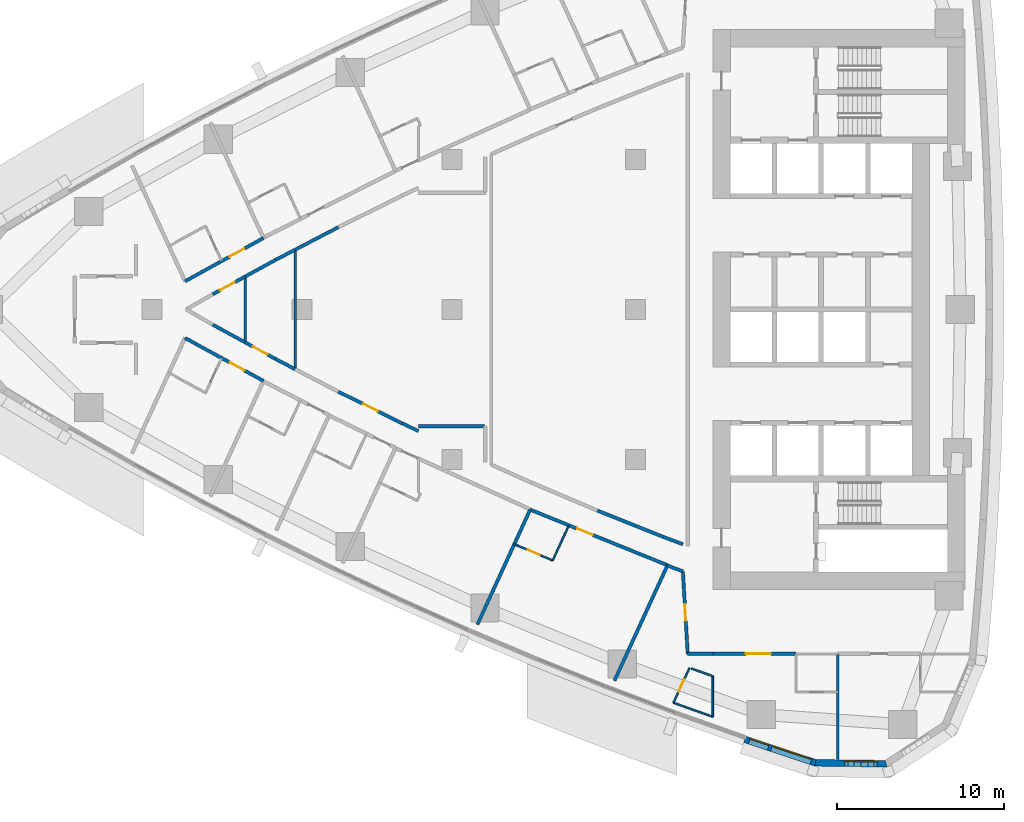
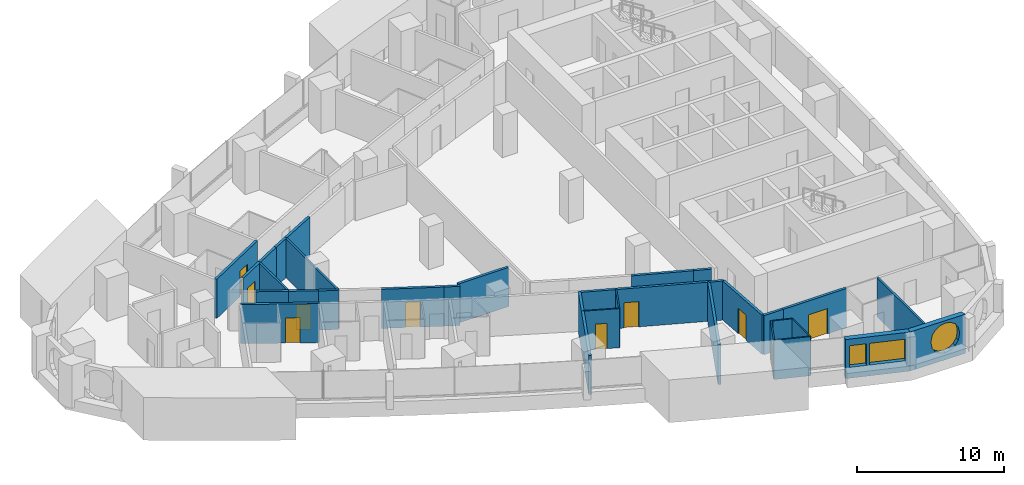
# One storey, part 9 of 17: 32 walls, 10 doors, 3 windows, 13 openings.
"""IFC4 building model written with IfcOpenShell, lengths in metres."""

from ifc_helpers import new_model, si_unit, direction, frame, frame_2d, origin, place, context, subcontext, project, spatial, polyline, rectangle, outline, extrude, material, layer, layer_set, type_object, element, fill, save


model = new_model("IFC4")

# Units and contexts
model_context = context("Model", 3, precision=1e-05, world=origin(), true_north=direction((0.0, 1.0)))
body_context = subcontext(model_context, "Body", "Model", "MODEL_VIEW")
ifc_project = project(units=[si_unit("LENGTHUNIT", "METRE"), si_unit("AREAUNIT", "SQUARE_METRE"), si_unit("VOLUMEUNIT", "CUBIC_METRE"), si_unit("PLANEANGLEUNIT", "RADIAN"), si_unit("MASSUNIT", "GRAM", prefix="KILO")], contexts=[model_context])

# Site, building, storey
site_placement = place(None, origin())
site = spatial("IfcSite", under=ifc_project, at=site_placement, CompositionType="ELEMENT")
building_placement = place(site_placement, origin())
building = spatial("IfcBuilding", under=site, at=building_placement, Name="Ostrand Prow Hotel Tower", CompositionType="ELEMENT")
storey_placement = place(building_placement, frame((0.0, 0.0, 95.550048828125)))
storey = spatial("IfcBuildingStorey", under=building, at=storey_placement, Name="L22", CompositionType="ELEMENT", Elevation=95.550048828125)

# Wall
ifc_material_1 = material(Name="Plasterboard partition")
ifc_layer_1 = layer(ifc_material_1, 0.10009765625)
ifc_layer_set_1 = layer_set([ifc_layer_1], Name="Plasterboard partition")
wall_type_1 = type_object("IfcWallType", Name="Partition 100 bathroom wall", PredefinedType="PARTITIONING", material=ifc_layer_set_1)
wall_1_placement = place(storey_placement, frame((40.99853515625, -12.983642578125, 0.0), z_axis=(0.0, 0.0, 1.0), x_axis=(-0.417433204355, -0.908707609686, 0.0)))
element("IfcWall", 1, at=wall_1_placement, inside=storey, type_object=wall_type_1, Name="BATHROOM WALL", PredefinedType="PARTITIONING", context=body_context, shape_type="SweptSolid", body=[
    extrude(rectangle(XDim=2.278076171875, YDim=0.10009765625, at=frame_2d((1.13916015625, 0.0))), origin(), (0.0, 0.0, 1.0), 3.25),
])

# Wall, opening, door
wall_2_placement = place(storey_placement, frame((40.047607421875, -15.0537109375, 0.0), z_axis=(0.0, 0.0, 1.0), x_axis=(-0.921042675983, 0.38946166566, 0.0)))
wall_2 = element("IfcWall", 2, at=wall_2_placement, inside=storey, type_object=wall_type_1, Name="BATHROOM WALL", PredefinedType="PARTITIONING", context=body_context, shape_type="SweptSolid", body=[
    extrude(rectangle(XDim=2.501220703125, YDim=0.10009765625, at=frame_2d((1.25048828125, 0.0))), origin(), (0.0, 0.0, 1.0), 3.25),
])
opening_1_placement = place(wall_2_placement, frame((0.85009765625, 0.0, 0.0)))
opening_1 = element("IfcOpeningElement", 3, at=opening_1_placement, cuts=wall_2, Name="Opening D2", PredefinedType="OPENING", context=body_context, shape_type="SweptSolid", body=[
    extrude(rectangle(XDim=0.800048828125, YDim=2.10009765625, at=frame_2d((0.39990234375, 1.050048828125))), frame((0.0, 0.06005859375, 0.0), z_axis=(0.0, -1.0, 0.0), x_axis=(1.0, 0.0, 0.0)), (0.0, 0.0, 1.0), 0.1201171875),
])
ifc_material_2 = material(Name="Timber door leaf", Category="wood")
door_type_1 = type_object("IfcDoorType", Name="Bathroom door 800", OperationType="SINGLE_SWING_LEFT", PredefinedType="DOOR", material=ifc_material_2)
door_1_placement = place(opening_1_placement, origin())
door_1 = element("IfcDoor", 4, at=door_1_placement, inside=storey, type_object=door_type_1, Name="DOOR", OperationType="SINGLE_SWING_LEFT", OverallHeight=2.10009765625, OverallWidth=0.800048828125, PredefinedType="DOOR", context=body_context, shape_type="SweptSolid", body=[
    extrude(rectangle(XDim=0.800048828125, YDim=2.10009765625, at=frame_2d((0.39990234375, 1.050048828125))), frame((0.0, 0.02490234375, 0.0), z_axis=(0.0, -1.0, 0.0), x_axis=(1.0, 0.0, 0.0)), (0.0, 0.0, 1.0), 0.050048828125),
])
fill(opening_1, door_1)

# Wall
wall_3_placement = place(storey_placement, frame((48.36279296875, -21.5400390625, 0.0), z_axis=(0.0, 0.0, 1.0), x_axis=(0.942692856107, -0.333661773425, 0.0)))
element("IfcWall", 5, at=wall_3_placement, inside=storey, type_object=wall_type_1, Name="BATHROOM WALL", PredefinedType="PARTITIONING", context=body_context, shape_type="SweptSolid", body=[
    extrude(rectangle(XDim=1.365234375, YDim=0.10009765625, at=frame_2d((0.6826171875, 0.0))), origin(), (0.0, 0.0, 1.0), 3.25),
])

# Wall, opening, door
wall_4_placement = place(storey_placement, frame((47.285888671875, -23.59228515625, 0.0), z_axis=(0.0, 0.0, 1.0), x_axis=(0.41749308293, 0.908680100864, 0.0)))
wall_4 = element("IfcWall", 6, at=wall_4_placement, inside=storey, type_object=wall_type_1, Name="BATHROOM WALL", PredefinedType="PARTITIONING", context=body_context, shape_type="SweptSolid", body=[
    extrude(rectangle(XDim=2.3056640625, YDim=0.10009765625, at=frame_2d((1.15283203125, 0.0))), origin(), (0.0, 0.0, 1.0), 3.25),
])
opening_2_placement = place(wall_4_placement, frame((0.75, 0.0, 0.0)))
opening_2 = element("IfcOpeningElement", 7, at=opening_2_placement, cuts=wall_4, Name="Opening D2", PredefinedType="OPENING", context=body_context, shape_type="SweptSolid", body=[
    extrude(rectangle(XDim=0.800048828125, YDim=2.10009765625, at=frame_2d((0.39990234375, 1.050048828125))), frame((0.0, 0.06005859375, 0.0), z_axis=(0.0, -1.0, 0.0), x_axis=(1.0, 0.0, 0.0)), (0.0, 0.0, 1.0), 0.1201171875),
])
door_2_placement = place(opening_2_placement, origin())
door_2 = element("IfcDoor", 8, at=door_2_placement, inside=storey, type_object=door_type_1, Name="DOOR", OperationType="SINGLE_SWING_LEFT", OverallHeight=2.10009765625, OverallWidth=0.800048828125, PredefinedType="DOOR", context=body_context, shape_type="SweptSolid", body=[
    extrude(rectangle(XDim=0.800048828125, YDim=2.10009765625, at=frame_2d((0.39990234375, 1.050048828125))), frame((0.0, 0.02490234375, 0.0), z_axis=(0.0, -1.0, 0.0), x_axis=(1.0, 0.0, 0.0)), (0.0, 0.0, 1.0), 0.050048828125),
])
fill(opening_2, door_2)

# Walls
wall_5_placement = place(storey_placement, frame((49.64990234375, -21.99560546875, 0.0), z_axis=(0.0, 0.0, 1.0), x_axis=(0.0, -1.0, 0.0)))
element("IfcWall", 9, at=wall_5_placement, inside=storey, type_object=wall_type_1, Name="BATHROOM WALL", PredefinedType="PARTITIONING", context=body_context, shape_type="SweptSolid", body=[
    extrude(rectangle(XDim=2.439453125, YDim=0.10009765625, at=frame_2d((1.2197265625, 0.0))), origin(), (0.0, 0.0, 1.0), 3.25),
])
wall_6_placement = place(storey_placement, frame((49.64990234375, -24.43505859375, 0.0), z_axis=(0.0, 0.0, 1.0), x_axis=(-0.941933231826, 0.335800218555, 0.0)))
element("IfcWall", 10, at=wall_6_placement, inside=storey, type_object=wall_type_1, Name="BATHROOM WALL", PredefinedType="PARTITIONING", context=body_context, shape_type="SweptSolid", body=[
    extrude(rectangle(XDim=2.509765625, YDim=0.10009765625, at=frame_2d((1.2548828125, 0.0))), origin(), (0.0, 0.0, 1.0), 3.25),
])
ifc_material_3 = material(Name="Plasterboard partition")
ifc_layer_2 = layer(ifc_material_3, 0.14990234375)
ifc_layer_set_2 = layer_set([ifc_layer_2], Name="Plasterboard partition")
wall_type_2 = type_object("IfcWallType", Name="Partition 150 room partition", PredefinedType="PARTITIONING", material=ifc_layer_set_2)
wall_7_placement = place(storey_placement, frame((57.130615234375, -26.97900390625, 0.0), z_axis=(0.0, 0.0, 1.0), x_axis=(0.0, 1.0, 0.0)))
element("IfcWall", 11, at=wall_7_placement, inside=storey, type_object=wall_type_2, Name="ROOM PARTITION", PredefinedType="PARTITIONING", context=body_context, shape_type="SweptSolid", body=[
    extrude(rectangle(XDim=6.3291015625, YDim=0.14990234375, at=frame_2d((3.16455078125, 0.0))), origin(), (0.0, 0.0, 1.0), 3.25),
])
wall_8_placement = place(storey_placement, frame((21.59765625, -1.972900390625, 0.0), z_axis=(0.0, 0.0, 1.0), x_axis=(0.0, 1.0, 0.0)))
element("IfcWall", 12, at=wall_8_placement, inside=storey, type_object=wall_type_2, Name="ROOM PARTITION", PredefinedType="PARTITIONING", context=body_context, shape_type="SweptSolid", body=[
    extrude(rectangle(XDim=3.94580078125, YDim=0.14990234375, at=frame_2d((1.972900390625, 0.0))), origin(), (0.0, 0.0, 1.0), 3.25),
])
wall_9_placement = place(storey_placement, frame((24.59765625, -3.582275390625, 0.0), z_axis=(0.0, 0.0, 1.0), x_axis=(0.0, 1.0, 0.0)))
element("IfcWall", 13, at=wall_9_placement, inside=storey, type_object=wall_type_2, Name="ROOM PARTITION", PredefinedType="PARTITIONING", context=body_context, shape_type="SweptSolid", body=[
    extrude(rectangle(XDim=7.16455078125, YDim=0.14990234375, at=frame_2d((3.582275390625, 0.0))), origin(), (0.0, 0.0, 1.0), 3.25),
])

# Wall, opening, door
ifc_material_4 = material(Name="Plasterboard partition")
ifc_layer_3 = layer(ifc_material_4, 0.199951171875)
ifc_layer_set_3 = layer_set([ifc_layer_3], Name="Plasterboard partition")
wall_type_3 = type_object("IfcWallType", Name="Partition 200 corridor wall", PredefinedType="PARTITIONING", material=ifc_layer_set_3)
wall_10_placement = place(storey_placement, frame((18.0, 1.691650390625, 0.0), z_axis=(0.0, 0.0, 1.0), x_axis=(0.875548487611, 0.483130257634, 0.0)))
wall_10 = element("IfcWall", 14, at=wall_10_placement, inside=storey, type_object=wall_type_3, Name="CORRIDOR WALL", PredefinedType="PARTITIONING", context=body_context, shape_type="SweptSolid", body=[
    extrude(rectangle(XDim=5.36669921875, YDim=0.199951171875, at=frame_2d((2.683349609375, 0.0))), origin(), (0.0, 0.0, 1.0), 3.25),
])
opening_3_placement = place(wall_10_placement, frame((3.050048828125, 0.0, 0.0)))
opening_3 = element("IfcOpeningElement", 15, at=opening_3_placement, cuts=wall_10, Name="Opening D1", PredefinedType="OPENING", context=body_context, shape_type="SweptSolid", body=[
    extrude(rectangle(XDim=1.0, YDim=2.10009765625, at=frame_2d((0.5, 1.050048828125))), frame((0.0, 0.10986328125, 0.0), z_axis=(0.0, -1.0, 0.0), x_axis=(1.0, 0.0, 0.0)), (0.0, 0.0, 1.0), 0.219970703125),
])
ifc_material_5 = material(Name="Timber door leaf", Category="wood")
door_type_2 = type_object("IfcDoorType", Name="Guest room door 1000", OperationType="SINGLE_SWING_LEFT", PredefinedType="DOOR", material=ifc_material_5)
door_3_placement = place(opening_3_placement, origin())
door_3 = element("IfcDoor", 16, at=door_3_placement, inside=storey, type_object=door_type_2, Name="DOOR", OperationType="SINGLE_SWING_LEFT", OverallHeight=2.10009765625, OverallWidth=1.0, PredefinedType="DOOR", context=body_context, shape_type="SweptSolid", body=[
    extrude(rectangle(XDim=1.0, YDim=2.10009765625, at=frame_2d((0.5, 1.050048828125))), frame((0.0, 0.02490234375, 0.0), z_axis=(0.0, -1.0, 0.0), x_axis=(1.0, 0.0, 0.0)), (0.0, 0.0, 1.0), 0.050048828125),
])
fill(opening_3, door_3)

wall_11_placement = place(storey_placement, frame((18.0, -1.714599609375, 0.0), z_axis=(0.0, 0.0, 1.0), x_axis=(0.877354946945, -0.479841950096, 0.0)))
wall_11 = element("IfcWall", 17, at=wall_11_placement, inside=storey, type_object=wall_type_3, Name="CORRIDOR WALL", PredefinedType="PARTITIONING", context=body_context, shape_type="SweptSolid", body=[
    extrude(rectangle(XDim=5.35546875, YDim=0.199951171875, at=frame_2d((2.677734375, 0.0))), origin(), (0.0, 0.0, 1.0), 3.25),
])
opening_4_placement = place(wall_11_placement, frame((3.050048828125, 0.0, 0.0)))
opening_4 = element("IfcOpeningElement", 18, at=opening_4_placement, cuts=wall_11, Name="Opening D1R", PredefinedType="OPENING", context=body_context, shape_type="SweptSolid", body=[
    extrude(rectangle(XDim=1.0, YDim=2.10009765625, at=frame_2d((0.5, 1.050048828125))), frame((0.0, 0.10986328125, 0.0), z_axis=(0.0, -1.0, 0.0), x_axis=(1.0, 0.0, 0.0)), (0.0, 0.0, 1.0), 0.219970703125),
])
ifc_material_6 = material(Name="Timber door leaf", Category="wood")
door_type_3 = type_object("IfcDoorType", Name="Guest room door 1000 right", OperationType="SINGLE_SWING_RIGHT", PredefinedType="DOOR", material=ifc_material_6)
door_4_placement = place(opening_4_placement, origin())
door_4 = element("IfcDoor", 19, at=door_4_placement, inside=storey, type_object=door_type_3, Name="DOOR", OperationType="SINGLE_SWING_RIGHT", OverallHeight=2.10009765625, OverallWidth=1.0, PredefinedType="DOOR", context=body_context, shape_type="SweptSolid", body=[
    extrude(rectangle(XDim=1.0, YDim=2.10009765625, at=frame_2d((0.5, 1.050048828125))), frame((0.0, 0.02490234375, 0.0), z_axis=(0.0, -1.0, 0.0), x_axis=(1.0, 0.0, 0.0)), (0.0, 0.0, 1.0), 0.050048828125),
])
fill(opening_4, door_4)

wall_12_placement = place(storey_placement, frame((38.696044921875, -12.0068359375, 0.0), z_axis=(0.0, 0.0, 1.0), x_axis=(0.927027566285, -0.374993188401, 0.0)))
wall_12 = element("IfcWall", 20, at=wall_12_placement, inside=storey, type_object=wall_type_3, Name="CORRIDOR WALL", PredefinedType="PARTITIONING", context=body_context, shape_type="SweptSolid", body=[
    extrude(rectangle(XDim=8.885009765625, YDim=0.199951171875, at=frame_2d((4.4423828125, 0.0))), origin(), (0.0, 0.0, 1.0), 3.25),
])
opening_5_placement = place(wall_12_placement, frame((3.050048828125, 0.0, 0.0)))
opening_5 = element("IfcOpeningElement", 21, at=opening_5_placement, cuts=wall_12, Name="Opening D1R", PredefinedType="OPENING", context=body_context, shape_type="SweptSolid", body=[
    extrude(rectangle(XDim=1.0, YDim=2.10009765625, at=frame_2d((0.5, 1.050048828125))), frame((0.0, 0.10986328125, 0.0), z_axis=(0.0, -1.0, 0.0), x_axis=(1.0, 0.0, 0.0)), (0.0, 0.0, 1.0), 0.219970703125),
])
door_5_placement = place(opening_5_placement, origin())
door_5 = element("IfcDoor", 22, at=door_5_placement, inside=storey, type_object=door_type_3, Name="DOOR", OperationType="SINGLE_SWING_RIGHT", OverallHeight=2.10009765625, OverallWidth=1.0, PredefinedType="DOOR", context=body_context, shape_type="SweptSolid", body=[
    extrude(rectangle(XDim=1.0, YDim=2.10009765625, at=frame_2d((0.5, 1.050048828125))), frame((0.0, 0.02490234375, 0.0), z_axis=(0.0, -1.0, 0.0), x_axis=(1.0, 0.0, 0.0)), (0.0, 0.0, 1.0), 0.050048828125),
])
fill(opening_5, door_5)

wall_13_placement = place(storey_placement, frame((19.6572265625, 0.912353515625, 0.0), z_axis=(0.0, 0.0, 1.0), x_axis=(0.877490210137, 0.479594548671, 0.0)))
wall_13 = element("IfcWall", 23, at=wall_13_placement, inside=storey, type_object=wall_type_3, Name="CORRIDOR WALL", PredefinedType="PARTITIONING", context=body_context, shape_type="SweptSolid", body=[
    extrude(rectangle(XDim=2.21142578125, YDim=0.199951171875, at=frame_2d((1.105712890625, 0.0))), origin(), (0.0, 0.0, 1.0), 3.25),
])
opening_6_placement = place(wall_13_placement, frame((0.505615234375, 0.0, 0.0)))
opening_6 = element("IfcOpeningElement", 24, at=opening_6_placement, cuts=wall_13, Name="Opening D1R", PredefinedType="OPENING", context=body_context, shape_type="SweptSolid", body=[
    extrude(rectangle(XDim=1.0, YDim=2.10009765625, at=frame_2d((0.5, 1.050048828125))), frame((0.0, 0.10986328125, 0.0), z_axis=(0.0, -1.0, 0.0), x_axis=(1.0, 0.0, 0.0)), (0.0, 0.0, 1.0), 0.219970703125),
])
door_6_placement = place(opening_6_placement, origin())
door_6 = element("IfcDoor", 25, at=door_6_placement, inside=storey, type_object=door_type_3, Name="DOOR", OperationType="SINGLE_SWING_RIGHT", OverallHeight=2.10009765625, OverallWidth=1.0, PredefinedType="DOOR", context=body_context, shape_type="SweptSolid", body=[
    extrude(rectangle(XDim=1.0, YDim=2.10009765625, at=frame_2d((0.5, 1.050048828125))), frame((0.0, 0.02490234375, 0.0), z_axis=(0.0, -1.0, 0.0), x_axis=(1.0, 0.0, 0.0)), (0.0, 0.0, 1.0), 0.050048828125),
])
fill(opening_6, door_6)

# Wall
wall_14_placement = place(storey_placement, frame((21.59765625, -1.972900390625, 0.0), z_axis=(0.0, 0.0, 1.0), x_axis=(-0.877490210137, 0.479594548671, 0.0)))
element("IfcWall", 26, at=wall_14_placement, inside=storey, type_object=wall_type_3, Name="CORRIDOR WALL", PredefinedType="PARTITIONING", context=body_context, shape_type="SweptSolid", body=[
    extrude(rectangle(XDim=2.21142578125, YDim=0.199951171875, at=frame_2d((1.105712890625, 0.0))), origin(), (0.0, 0.0, 1.0), 3.25),
])

# Wall, opening, door
wall_15_placement = place(storey_placement, frame((23.40673828125, -2.9619140625, 0.0), z_axis=(0.0, 0.0, 1.0), x_axis=(-0.877438115071, 0.479689852113, 0.0)))
wall_15 = element("IfcWall", 27, at=wall_15_placement, inside=storey, type_object=wall_type_3, Name="CORRIDOR WALL", PredefinedType="PARTITIONING", context=body_context, shape_type="SweptSolid", body=[
    extrude(rectangle(XDim=2.061767578125, YDim=0.199951171875, at=frame_2d((1.03076171875, 0.0))), origin(), (0.0, 0.0, 1.0), 3.25),
])
opening_7_placement = place(wall_15_placement, frame((0.531005859375, 0.0, 0.0)))
opening_7 = element("IfcOpeningElement", 28, at=opening_7_placement, cuts=wall_15, Name="Opening D1", PredefinedType="OPENING", context=body_context, shape_type="SweptSolid", body=[
    extrude(rectangle(XDim=1.0, YDim=2.10009765625, at=frame_2d((0.5, 1.050048828125))), frame((0.0, 0.10986328125, 0.0), z_axis=(0.0, -1.0, 0.0), x_axis=(1.0, 0.0, 0.0)), (0.0, 0.0, 1.0), 0.219970703125),
])
door_7_placement = place(opening_7_placement, origin())
door_7 = element("IfcDoor", 29, at=door_7_placement, inside=storey, type_object=door_type_2, Name="DOOR", OperationType="SINGLE_SWING_LEFT", OverallHeight=2.10009765625, OverallWidth=1.0, PredefinedType="DOOR", context=body_context, shape_type="SweptSolid", body=[
    extrude(rectangle(XDim=1.0, YDim=2.10009765625, at=frame_2d((0.5, 1.050048828125))), frame((0.0, 0.02490234375, 0.0), z_axis=(0.0, -1.0, 0.0), x_axis=(1.0, 0.0, 0.0)), (0.0, 0.0, 1.0), 0.050048828125),
])
fill(opening_7, door_7)

# Walls
wall_16_placement = place(storey_placement, frame((21.59765625, 1.972900390625, 0.0), z_axis=(0.0, 0.0, 1.0), x_axis=(0.877438115071, 0.479689852113, 0.0)))
element("IfcWall", 30, at=wall_16_placement, inside=storey, type_object=wall_type_3, Name="CORRIDOR WALL", PredefinedType="PARTITIONING", context=body_context, shape_type="SweptSolid", body=[
    extrude(rectangle(XDim=2.061767578125, YDim=0.199951171875, at=frame_2d((1.03076171875, 0.0))), origin(), (0.0, 0.0, 1.0), 3.25),
])
for number, where, z_axis, x_axis, name in (
    (31, (23.40673828125, 2.9619140625, 0.0), (0.0, 0.0, 1.0), (0.88688614944, 0.461988049555, 0.0), "CORRIDOR WALL"),
    (32, (24.59765625, -3.582275390625, 0.0), (0.0, 0.0, 1.0), (-0.88688614944, 0.461988049555, 0.0), "CORRIDOR WALL"),
):
    element("IfcWall", number, at=place(storey_placement, frame(where, z_axis=z_axis, x_axis=x_axis)), inside=storey, type_object=wall_type_3, Name=name, PredefinedType="PARTITIONING", context=body_context, shape_type="SweptSolid", body=[
        extrude(rectangle(XDim=1.3427734375, YDim=0.199951171875, at=frame_2d((0.67138671875, 0.0))), origin(), (0.0, 0.0, 1.0), 3.25),
    ])

# Wall, opening, door
wall_17_placement = place(storey_placement, frame((31.02490234375, -6.83349609375, 0.0), z_axis=(0.0, 0.0, 1.0), x_axis=(-0.895975836328, 0.44410280422, 0.0)))
wall_17 = element("IfcWall", 33, at=wall_17_placement, inside=storey, type_object=wall_type_3, Name="CORRIDOR WALL", PredefinedType="PARTITIONING", context=body_context, shape_type="SweptSolid", body=[
    extrude(rectangle(XDim=4.273193359375, YDim=0.199951171875, at=frame_2d((2.13671875, 0.0))), origin(), (0.0, 0.0, 1.0), 3.25),
])
opening_8_placement = place(wall_17_placement, frame((1.636474609375, 0.0, 0.0)))
opening_8 = element("IfcOpeningElement", 34, at=opening_8_placement, cuts=wall_17, Name="Opening D1R", PredefinedType="OPENING", context=body_context, shape_type="SweptSolid", body=[
    extrude(rectangle(XDim=1.0, YDim=2.10009765625, at=frame_2d((0.5, 1.050048828125))), frame((0.0, 0.10986328125, 0.0), z_axis=(0.0, -1.0, 0.0), x_axis=(1.0, 0.0, 0.0)), (0.0, 0.0, 1.0), 0.219970703125),
])
door_8_placement = place(opening_8_placement, origin())
door_8 = element("IfcDoor", 35, at=door_8_placement, inside=storey, type_object=door_type_3, Name="DOOR", OperationType="SINGLE_SWING_RIGHT", OverallHeight=2.10009765625, OverallWidth=1.0, PredefinedType="DOOR", context=body_context, shape_type="SweptSolid", body=[
    extrude(rectangle(XDim=1.0, YDim=2.10009765625, at=frame_2d((0.5, 1.050048828125))), frame((0.0, 0.02490234375, 0.0), z_axis=(0.0, -1.0, 0.0), x_axis=(1.0, 0.0, 0.0)), (0.0, 0.0, 1.0), 0.050048828125),
])
fill(opening_8, door_8)

# Walls
wall_18_placement = place(storey_placement, frame((32.0, -7.292724609375, 0.0), z_axis=(0.0, 0.0, 1.0), x_axis=(-0.904690325494, 0.426069730159, 0.0)))
element("IfcWall", 36, at=wall_18_placement, inside=storey, type_object=wall_type_3, Name="CORRIDOR WALL", PredefinedType="PARTITIONING", context=body_context, shape_type="SweptSolid", body=[
    extrude(rectangle(XDim=1.077880859375, YDim=0.199951171875, at=frame_2d((0.5390625, 0.0))), origin(), (0.0, 0.0, 1.0), 3.25),
])
wall_19_placement = place(storey_placement, frame((24.59765625, 3.582275390625, 0.0), z_axis=(0.0, 0.0, 1.0), x_axis=(0.886905549588, 0.461950804859, 0.0)))
element("IfcWall", 37, at=wall_19_placement, inside=storey, type_object=wall_type_3, Name="CORRIDOR WALL", PredefinedType="PARTITIONING", context=body_context, shape_type="SweptSolid", body=[
    extrude(rectangle(XDim=2.929931640625, YDim=0.199951171875, at=frame_2d((1.46484375, 0.0))), origin(), (0.0, 0.0, 1.0), 3.25),
])
wall_20_placement = place(storey_placement, frame((46.69580078125, -13.646728515625, 0.0), z_axis=(0.0, 0.0, 1.0), x_axis=(-0.928638161177, 0.370986745864, 0.0)))
element("IfcWall", 38, at=wall_20_placement, inside=storey, type_object=wall_type_3, Name="CORRIDOR WALL", PredefinedType="PARTITIONING", context=body_context, shape_type="SweptSolid", body=[
    extrude(rectangle(XDim=4.27294921875, YDim=0.199951171875, at=frame_2d((2.136474609375, 0.0))), origin(), (0.0, 0.0, 1.0), 3.25),
])

# Wall, opening, door
wall_21_placement = place(storey_placement, frame((49.64990234375, -20.655029296875, 0.0), z_axis=(0.0, 0.0, 1.0), x_axis=(1.0, 0.0, 0.0)))
wall_21 = element("IfcWall", 39, at=wall_21_placement, inside=storey, type_object=wall_type_3, Name="CORRIDOR WALL", PredefinedType="PARTITIONING", context=body_context, shape_type="SweptSolid", body=[
    extrude(rectangle(XDim=4.9755859375, YDim=0.199951171875, at=frame_2d((2.48779296875, 0.0))), origin(), (0.0, 0.0, 1.0), 3.25),
])
opening_9_placement = place(wall_21_placement, frame((1.98779296875, 0.0, 0.0)))
opening_9 = element("IfcOpeningElement", 40, at=opening_9_placement, cuts=wall_21, Name="Opening D15", PredefinedType="OPENING", context=body_context, shape_type="SweptSolid", body=[
    extrude(rectangle(XDim=1.5, YDim=2.10009765625, at=frame_2d((0.75, 1.050048828125))), frame((0.0, 0.10986328125, 0.0), z_axis=(0.0, -1.0, 0.0), x_axis=(1.0, 0.0, 0.0)), (0.0, 0.0, 1.0), 0.219970703125),
])
ifc_material_7 = material(Name="Timber door leaf", Category="wood")
door_type_4 = type_object("IfcDoorType", Name="Double door 1500", OperationType="DOUBLE_DOOR_SINGLE_SWING", PredefinedType="DOOR", material=ifc_material_7)
door_9_placement = place(opening_9_placement, origin())
door_9 = element("IfcDoor", 41, at=door_9_placement, inside=storey, type_object=door_type_4, Name="DOOR", OperationType="DOUBLE_DOOR_SINGLE_SWING", OverallHeight=2.10009765625, OverallWidth=1.5, PredefinedType="DOOR", context=body_context, shape_type="SweptSolid", body=[
    extrude(rectangle(XDim=1.5, YDim=2.10009765625, at=frame_2d((0.75, 1.050048828125))), frame((0.0, 0.02490234375, 0.0), z_axis=(0.0, -1.0, 0.0), x_axis=(1.0, 0.0, 0.0)), (0.0, 0.0, 1.0), 0.050048828125),
])
fill(opening_9, door_9)

# Walls
wall_22_placement = place(storey_placement, frame((46.92431640625, -15.356689453125, 0.0), z_axis=(0.0, 0.0, 1.0), x_axis=(0.935803526171, -0.35252199989, 0.0)))
element("IfcWall", 42, at=wall_22_placement, inside=storey, type_object=wall_type_3, Name="CORRIDOR WALL", PredefinedType="PARTITIONING", context=body_context, shape_type="SweptSolid", body=[
    extrude(rectangle(XDim=0.99462890625, YDim=0.199951171875, at=frame_2d((0.497314453125, 0.0))), origin(), (0.0, 0.0, 1.0), 3.25),
])
wall_23_placement = place(storey_placement, frame((47.85498046875, -14.0830078125, 0.0), z_axis=(0.0, 0.0, 1.0), x_axis=(-0.935907269358, 0.352246480696, 0.0)))
element("IfcWall", 43, at=wall_23_placement, inside=storey, type_object=wall_type_3, Name="CORRIDOR WALL", PredefinedType="PARTITIONING", context=body_context, shape_type="SweptSolid", body=[
    extrude(rectangle(XDim=1.238525390625, YDim=0.199951171875, at=frame_2d((0.619140625, 0.0))), origin(), (0.0, 0.0, 1.0), 3.25),
])

# Wall, opening, door
wall_24_placement = place(storey_placement, frame((47.85498046875, -15.707275390625, 0.0), z_axis=(0.0, 0.0, 1.0), x_axis=(0.058568850083, -0.998283371493, 0.0)))
wall_24 = element("IfcWall", 44, at=wall_24_placement, inside=storey, type_object=wall_type_3, Name="CORRIDOR WALL", PredefinedType="PARTITIONING", context=body_context, shape_type="SweptSolid", body=[
    extrude(rectangle(XDim=4.9521484375, YDim=0.199951171875, at=frame_2d((2.47607421875, 0.0))), origin(), (0.0, 0.0, 1.0), 3.25),
])
opening_10_placement = place(wall_24_placement, frame((1.97607421875, 0.0, 0.0)))
opening_10 = element("IfcOpeningElement", 45, at=opening_10_placement, cuts=wall_24, Name="Opening D1", PredefinedType="OPENING", context=body_context, shape_type="SweptSolid", body=[
    extrude(rectangle(XDim=1.0, YDim=2.10009765625, at=frame_2d((0.5, 1.050048828125))), frame((0.0, 0.10986328125, 0.0), z_axis=(0.0, -1.0, 0.0), x_axis=(1.0, 0.0, 0.0)), (0.0, 0.0, 1.0), 0.219970703125),
])
door_10_placement = place(opening_10_placement, origin())
door_10 = element("IfcDoor", 46, at=door_10_placement, inside=storey, type_object=door_type_2, Name="DOOR", OperationType="SINGLE_SWING_LEFT", OverallHeight=2.10009765625, OverallWidth=1.0, PredefinedType="DOOR", context=body_context, shape_type="SweptSolid", body=[
    extrude(rectangle(XDim=1.0, YDim=2.10009765625, at=frame_2d((0.5, 1.050048828125))), frame((0.0, 0.02490234375, 0.0), z_axis=(0.0, -1.0, 0.0), x_axis=(1.0, 0.0, 0.0)), (0.0, 0.0, 1.0), 0.050048828125),
])
fill(opening_10, door_10)

# Walls
wall_25_placement = place(storey_placement, frame((35.96240234375, -6.99560546875, 0.0), z_axis=(0.0, 0.0, 1.0), x_axis=(-0.999999992409, 0.000123213405, 0.0)))
element("IfcWall", 47, at=wall_25_placement, inside=storey, type_object=wall_type_3, Name="CORRIDOR WALL", PredefinedType="PARTITIONING", context=body_context, shape_type="SweptSolid", body=[
    extrude(rectangle(XDim=3.962890625, YDim=0.199951171875, at=frame_2d((1.9814453125, 0.0))), origin(), (0.0, 0.0, 1.0), 3.25),
])
wall_26_placement = place(storey_placement, frame((48.14501953125, -20.65087890625, 0.0), z_axis=(0.0, 0.0, 1.0), x_axis=(0.999996196879, -0.002757938895, 0.0)))
element("IfcWall", 48, at=wall_26_placement, inside=storey, type_object=wall_type_3, Name="CORRIDOR WALL", PredefinedType="PARTITIONING", context=body_context, shape_type="SweptSolid", body=[
    extrude(rectangle(XDim=1.5048828125, YDim=0.199951171875, at=frame_2d((0.75244140625, 0.0))), origin(), (0.0, 0.0, 1.0), 3.25),
])
ifc_material_8 = material(Name="Plasterboard partition")
ifc_layer_4 = layer(ifc_material_8, 0.199951171875)
ifc_layer_set_4 = layer_set([ifc_layer_4], Name="Plasterboard partition")
wall_type_4 = type_object("IfcWallType", Name="Partition 200 key partition", PredefinedType="PARTITIONING", material=ifc_layer_set_4)
wall_27_placement = place(storey_placement, frame((35.530517578125, -18.89794921875, 0.0), z_axis=(0.0, 0.0, 1.0), x_axis=(0.417416334044, 0.908715359215, 0.0)))
element("IfcWall", 49, at=wall_27_placement, inside=storey, type_object=wall_type_4, Name="KEY PARTITION", PredefinedType="PARTITIONING", context=body_context, shape_type="SweptSolid", body=[
    extrude(rectangle(XDim=7.603515625, YDim=0.199951171875, at=frame_2d((3.8017578125, 0.0))), origin(), (0.0, 0.0, 1.0), 3.25),
])
wall_28_placement = place(storey_placement, frame((43.752197265625, -22.261962890625, 0.0), z_axis=(0.0, 0.0, 1.0), x_axis=(0.417437957167, 0.908705426371, 0.0)))
element("IfcWall", 50, at=wall_28_placement, inside=storey, type_object=wall_type_4, Name="KEY PARTITION", PredefinedType="PARTITIONING", context=body_context, shape_type="SweptSolid", body=[
    extrude(rectangle(XDim=7.618896484375, YDim=0.199951171875, at=frame_2d((3.8095703125, 0.0))), origin(), (0.0, 0.0, 1.0), 3.25),
])

# Wall, openings, windows
ifc_material_9 = material(Name="Precast concrete C40/50", Category="concrete")
ifc_layer_5 = layer(ifc_material_9, 0.39990234375)
ifc_layer_set_5 = layer_set([ifc_layer_5], Name="Precast concrete C40/50")
wall_type_5 = type_object("IfcWallType", Name="Stone-faced precast wall 400 mm", PredefinedType="NOTDEFINED", material=ifc_layer_set_5)
wall_29_placement = place(storey_placement, frame((51.56884765625, -25.786865234375, 0.0), z_axis=(0.0, 0.0, 1.0), x_axis=(0.94925004851, -0.314522408429, 0.0)))
wall_29 = element("IfcWall", 51, at=wall_29_placement, inside=storey, type_object=wall_type_5, Name="Stone-faced wall back 1", PredefinedType="NOTDEFINED", context=body_context, shape_type="SweptSolid", body=[
    extrude(outline(polyline([(0.0, -0.199951171875), (4.4990234375, -0.199951171875), (4.43701171875, 0.199951171875), (0.0, 0.199951171875), (0.0, -0.199951171875)])), origin(), (0.0, 0.0, 1.0), 3.25),
])
opening_11_placement = place(wall_29_placement, frame((0.283935546875, 0.0, 0.89990234375)))
opening_11 = element("IfcOpeningElement", 52, at=opening_11_placement, cuts=wall_29, Name="Opening WS4", PredefinedType="OPENING", context=body_context, shape_type="SweptSolid", body=[
    extrude(rectangle(XDim=1.199951171875, YDim=1.800048828125, at=frame_2d((0.60009765625, 0.89990234375))), frame((0.0, 0.2099609375, 0.0), z_axis=(0.0, -1.0, 0.0), x_axis=(1.0, 0.0, 0.0)), (0.0, 0.0, 1.0), 0.419921875),
])
opening_12_placement = place(wall_29_placement, frame((1.68408203125, 0.0, 0.89990234375)))
opening_12 = element("IfcOpeningElement", 53, at=opening_12_placement, cuts=wall_29, Name="Opening WS5-25", PredefinedType="OPENING", context=body_context, shape_type="SweptSolid", body=[
    extrude(rectangle(XDim=2.5, YDim=1.800048828125, at=frame_2d((1.25, 0.89990234375))), frame((0.0, 0.2099609375, 0.0), z_axis=(0.0, -1.0, 0.0), x_axis=(1.0, 0.0, 0.0)), (0.0, 0.0, 1.0), 0.419921875),
])
ifc_material_10 = material(Name="Insulated glass in bronze frame", Category="glass")
window_type_1 = type_object("IfcWindowType", Name="Fixed strip window 2500x1800", PartitioningType="SINGLE_PANEL", PredefinedType="WINDOW", material=ifc_material_10)
window_1_placement = place(opening_12_placement, origin())
window_1 = element("IfcWindow", 54, at=window_1_placement, inside=storey, type_object=window_type_1, Name="Window back 1.2", OverallHeight=1.800048828125, OverallWidth=2.5, PartitioningType="SINGLE_PANEL", PredefinedType="WINDOW", context=body_context, shape_type="SweptSolid", body=[
    extrude(rectangle(XDim=2.5, YDim=1.800048828125, at=frame_2d((1.25, 0.89990234375))), frame((0.0, 0.169921875, 0.0), z_axis=(0.0, -1.0, 0.0), x_axis=(1.0, 0.0, 0.0)), (0.0, 0.0, 1.0), 0.06005859375),
])
fill(opening_12, window_1)
ifc_material_11 = material(Name="Insulated glass in bronze frame", Category="glass")
window_type_2 = type_object("IfcWindowType", Name="Operable strip panel 1200x1800", PartitioningType="SINGLE_PANEL", PredefinedType="WINDOW", material=ifc_material_11)
window_2_placement = place(opening_11_placement, origin())
window_2 = element("IfcWindow", 55, at=window_2_placement, inside=storey, type_object=window_type_2, Name="Window back 1.1", OverallHeight=1.800048828125, OverallWidth=1.199951171875, PartitioningType="SINGLE_PANEL", PredefinedType="WINDOW", context=body_context, shape_type="SweptSolid", body=[
    extrude(rectangle(XDim=1.199951171875, YDim=1.800048828125, at=frame_2d((0.60009765625, 0.89990234375))), frame((0.0, 0.169921875, 0.0), z_axis=(0.0, -1.0, 0.0), x_axis=(1.0, 0.0, 0.0)), (0.0, 0.0, 1.0), 0.06005859375),
])
fill(opening_11, window_2)

# Wall, opening, window
wall_30_placement = place(storey_placement, frame((55.81005859375, -27.192138671875, 0.0), z_axis=(0.0, 0.0, 1.0), x_axis=(0.999919718849, -0.012671063772, 0.0)))
wall_30 = element("IfcWall", 56, at=wall_30_placement, inside=storey, type_object=wall_type_5, Name="Stone-faced wall back 2", PredefinedType="NOTDEFINED", context=body_context, shape_type="SweptSolid", body=[
    extrude(outline(polyline([(-0.031005859375, -0.199951171875), (4.300048828125, -0.199951171875), (4.177490234375, 0.199951171875), (0.031005859375, 0.199951171875), (-0.031005859375, -0.199951171875)])), origin(), (0.0, 0.0, 1.0), 3.25),
])
opening_13_placement = place(wall_30_placement, frame((1.620849609375, 0.0, 0.60009765625)))
opening_13 = element("IfcOpeningElement", 57, at=opening_13_placement, cuts=wall_30, Name="Opening WP1", PredefinedType="OPENING", context=body_context, shape_type="SweptSolid", body=[
    extrude(outline(polyline([(0.0, 1.35009765625), (0.083740234375, 1.77099609375), (0.322265625, 2.127685546875), (0.678955078125, 2.3662109375), (1.10009765625, 2.449951171875), (1.52099609375, 2.3662109375), (1.877685546875, 2.127685546875), (2.1162109375, 1.77099609375), (2.199951171875, 1.35009765625), (2.199951171875, 1.10009765625), (2.1162109375, 0.678955078125), (1.877685546875, 0.322265625), (1.52099609375, 0.083740234375), (1.10009765625, 0.0), (0.678955078125, 0.083740234375), (0.322265625, 0.322265625), (0.083740234375, 0.678955078125), (0.0, 1.099853515625), (0.0, 1.35009765625)])), frame((0.0, 0.2099609375, 0.0), z_axis=(0.0, -1.0, 0.0), x_axis=(1.0, 0.0, 0.0)), (0.0, 0.0, 1.0), 0.419921875),
])
ifc_material_12 = material(Name="Insulated glass in bronze frame", Category="glass")
window_type_3 = type_object("IfcWindowType", Name="Round-ended prow window 2200x2450", PartitioningType="SINGLE_PANEL", PredefinedType="WINDOW", material=ifc_material_12)
window_3_placement = place(opening_13_placement, origin())
window_3 = element("IfcWindow", 58, at=window_3_placement, inside=storey, type_object=window_type_3, Name="Window back 2.1", OverallHeight=2.449951171875, OverallWidth=2.199951171875, PartitioningType="SINGLE_PANEL", PredefinedType="WINDOW", context=body_context, shape_type="SweptSolid", body=[
    extrude(outline(polyline([(0.0, 1.35009765625), (0.083740234375, 1.77099609375), (0.322265625, 2.127685546875), (0.678955078125, 2.3662109375), (1.10009765625, 2.449951171875), (1.52099609375, 2.3662109375), (1.877685546875, 2.127685546875), (2.1162109375, 1.77099609375), (2.199951171875, 1.35009765625), (2.199951171875, 1.10009765625), (2.1162109375, 0.678955078125), (1.877685546875, 0.322265625), (1.52099609375, 0.083740234375), (1.10009765625, 0.0), (0.678955078125, 0.083740234375), (0.322265625, 0.322265625), (0.083740234375, 0.678955078125), (0.0, 1.099853515625), (0.0, 1.35009765625)])), frame((0.0, 0.169921875, 0.0), z_axis=(0.0, -1.0, 0.0), x_axis=(1.0, 0.0, 0.0)), (0.0, 0.0, 1.0), 0.06005859375),
])
fill(opening_13, window_3)

save(model, "model.ifc")
